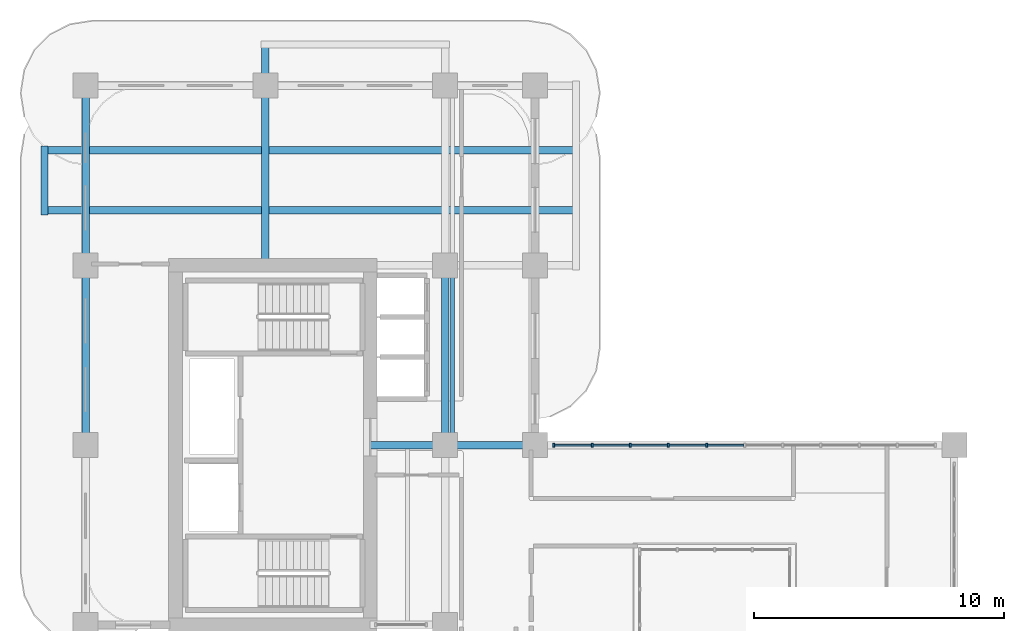
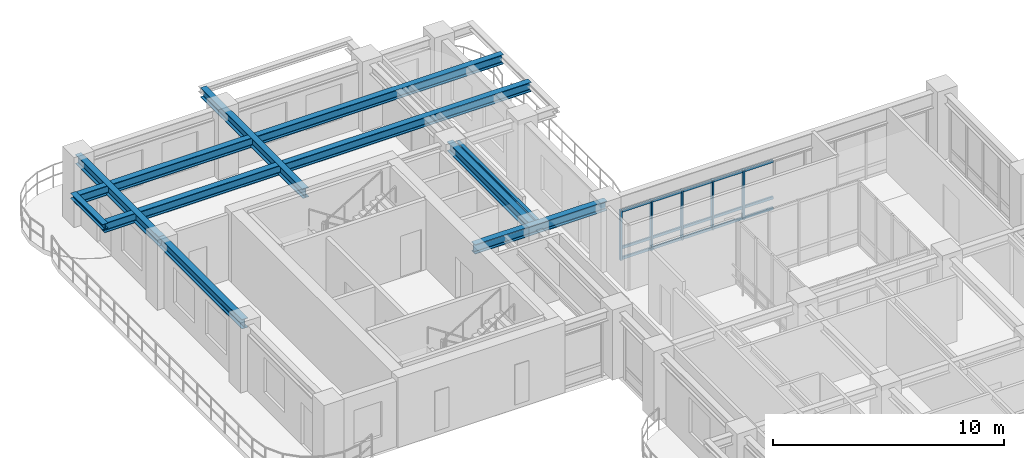
# One storey, part 5 of 20: 20 members, 9 beams, 1 element without a shape of its own.
"""IFC4 building model written with IfcOpenShell, lengths in metres."""

from ifc_helpers import new_model, si_unit, derived_unit, direction, frame, origin, origin_2d, place, context, subcontext, project, spatial, rectangle, i_section, extrude, source, transform, mapped, material, layer, layer_set, material_profile, profile_set, type_object, type_shapes, element, aggregate, save


model = new_model("IFC4")

# Units and contexts
model_context = context("Model", 3, precision=1e-05, world=origin(), true_north=direction((0.0, 1.0)))
body_context = subcontext(model_context, "Body", "Model", "MODEL_VIEW")
ifc_project = project(units=[si_unit("LENGTHUNIT", "METRE"), si_unit("AREAUNIT", "SQUARE_METRE"), si_unit("VOLUMEUNIT", "CUBIC_METRE"), si_unit("PLANEANGLEUNIT", "RADIAN"), si_unit("MASSUNIT", "GRAM", prefix="KILO"), si_unit("THERMODYNAMICTEMPERATUREUNIT", "KELVIN"), si_unit("POWERUNIT", "WATT"), derived_unit("THERMALTRANSMITTANCEUNIT", [(si_unit("POWERUNIT", "WATT"), 1), (si_unit("AREAUNIT", "SQUARE_METRE"), -1), (si_unit("THERMODYNAMICTEMPERATUREUNIT", "KELVIN"), -1)])], contexts=[model_context])

# Site, building, storey
site_placement = place(None, origin())
site = spatial("IfcSite", under=ifc_project, at=site_placement, CompositionType="ELEMENT")
building_placement = place(site_placement, origin())
building = spatial("IfcBuilding", under=site, at=building_placement, Name="Zahravan Archway Hotel and Residences", CompositionType="ELEMENT")
storey_placement = place(building_placement, frame((0.0, 0.0, 130.300048828125)))
storey = spatial("IfcBuildingStorey", under=building, at=storey_placement, Name="L32", CompositionType="ELEMENT", Elevation=130.300048828125)

# Beams
ifc_material_1 = material(Name="Structural Steel S355JR", Category="steel")
ifc_material_profile_1 = material_profile(ifc_material_1, i_section(OverallWidth=0.280029296875, OverallDepth=0.280029296875, WebThickness=0.010498046875, FlangeThickness=0.01806640625, FilletRadius=0.02392578125, at=origin_2d()), Name="HEB 280", Category="steel")
ifc_profile_set_1 = profile_set([ifc_material_profile_1], Name="Structural Steel S355JR")
beam_type_1 = type_object("IfcBeamType", Name="BM-SPN-HEB280", PredefinedType="SPANDREL", material=ifc_profile_set_1)
shared_shape_1 = source(origin(), body_context, "Body", "SweptSolid", [
    extrude(i_section(OverallWidth=0.280029296875, OverallDepth=0.280029296875, WebThickness=0.010498046875, FlangeThickness=0.01806640625, FilletRadius=0.02392578125, at=origin_2d()), origin(), (0.0, 0.0, 1.0), 2.759765625),
])
beam_1_placement = place(storey_placement, frame((-1.64990234375, 41.6201171875, 3.31005859375), z_axis=(0.0, 1.0, 0.0), x_axis=(-1.0, 0.0, 0.0)))
element("IfcBeam", 1, at=beam_1_placement, inside=storey, type_object=beam_type_1, Name="L33 WB Balcony Edge Spandrel", PredefinedType="SPANDREL", context=body_context, shape_type="MappedRepresentation", body=[
    mapped(shared_shape_1, transform((0.0, 0.0, 0.0), scale=1.0)),
])
ifc_material_profile_2 = material_profile(ifc_material_1, i_section(OverallWidth=0.300048828125, OverallDepth=0.5, WebThickness=0.014404296875, FlangeThickness=0.028076171875, FilletRadius=0.027099609375, at=origin_2d()), Name="HEB 500", Category="steel")
ifc_profile_set_2 = profile_set([ifc_material_profile_2], Name="Structural Steel S355JR")
beam_type_2 = type_object("IfcBeamType", Name="BM-PRI-HEB500", PredefinedType="BEAM", material=ifc_profile_set_2)
shared_shape_2 = source(origin(), body_context, "Body", "SweptSolid", [
    extrude(i_section(OverallWidth=0.300048828125, OverallDepth=0.5, WebThickness=0.014404296875, FlangeThickness=0.028076171875, FilletRadius=0.027099609375, at=origin_2d()), origin(), (0.0, 0.0, 1.0), 7.2001953125),
])
type_shapes(beam_type_2, [shared_shape_2])
for number, where, z_axis, x_axis, name in (
    (2, (0.0, 32.39990234375, 3.199951171875), (0.0, 1.0, 0.0), (-1.0, 0.0, 0.0), "L32 Primary Girder NS-25"),
    (3, (14.39990234375, 32.39990234375, 3.199951171875), (0.0, 1.0, 0.0), (-1.0, 0.0, 0.0), "L32 Primary Girder NS-33"),
):
    element("IfcBeam", number, at=place(storey_placement, frame(where, z_axis=z_axis, x_axis=x_axis)), inside=storey, type_object=beam_type_2, Name=name, PredefinedType="BEAM", context=body_context, shape_type="MappedRepresentation", body=[
        mapped(shared_shape_2, transform((0.0, 0.0, 0.0), scale=1.0)),
    ])
shared_shape_3 = source(origin(), body_context, "Body", "SweptSolid", [
    extrude(i_section(OverallWidth=0.300048828125, OverallDepth=0.5, WebThickness=0.014404296875, FlangeThickness=0.028076171875, FilletRadius=0.027099609375, at=origin_2d()), origin(), (0.0, 0.0, 1.0), 7.199951171875),
])
beam_2_placement = place(storey_placement, frame((0.0, 39.60009765625, 3.199951171875), z_axis=(0.0, 1.0, 0.0), x_axis=(-1.0, 0.0, 0.0)))
element("IfcBeam", 4, at=beam_2_placement, inside=storey, type_object=beam_type_2, Name="L32 Primary Girder NS-26", PredefinedType="BEAM", context=body_context, shape_type="MappedRepresentation", body=[
    mapped(shared_shape_3, transform((0.0, 0.0, 0.0), scale=1.0)),
])
shared_shape_4 = source(origin(), body_context, "Body", "SweptSolid", [
    extrude(i_section(OverallWidth=0.300048828125, OverallDepth=0.5, WebThickness=0.014404296875, FlangeThickness=0.028076171875, FilletRadius=0.027099609375, at=origin_2d()), origin(), (0.0, 0.0, 1.0), 6.60009765625),
])
beam_3_placement = place(storey_placement, frame((11.39990234375, 32.39990234375, 3.199951171875), z_axis=(1.0, 0.0, 0.0), x_axis=(0.0, 1.0, 0.0)))
element("IfcBeam", 5, at=beam_3_placement, inside=storey, type_object=beam_type_2, Name="L32 Primary Girder EW-17", PredefinedType="BEAM", context=body_context, shape_type="MappedRepresentation", body=[
    mapped(shared_shape_4, transform((0.0, 0.0, 0.0), scale=1.0)),
])
ifc_material_profile_3 = material_profile(ifc_material_1, i_section(OverallWidth=0.159912109375, OverallDepth=0.330078125, WebThickness=0.007568359375, FlangeThickness=0.011474609375, FilletRadius=0.01806640625, at=origin_2d()), Name="IPE 330", Category="steel")
ifc_profile_set_3 = profile_set([ifc_material_profile_3], Name="Structural Steel S355JR")
beam_type_3 = type_object("IfcBeamType", Name="BM-JST-IPE330", PredefinedType="JOIST", material=ifc_profile_set_3)
shared_shape_5 = source(origin(), body_context, "Body", "SweptSolid", [
    extrude(i_section(OverallWidth=0.159912109375, OverallDepth=0.330078125, WebThickness=0.007568359375, FlangeThickness=0.011474609375, FilletRadius=0.01806640625, at=origin_2d()), origin(), (0.0, 0.0, 1.0), 6.90380859375),
])
beam_4_placement = place(storey_placement, frame((14.699951171875, 32.548095703125, 3.284912109375), z_axis=(0.0, 1.0, 0.0), x_axis=(-1.0, 0.0, 0.0)))
element("IfcBeam", 6, at=beam_4_placement, inside=storey, type_object=beam_type_3, Name="L32 Composite Floor Joist 11", PredefinedType="JOIST", context=body_context, shape_type="MappedRepresentation", body=[
    mapped(shared_shape_5, transform((0.0, 0.0, 0.0), scale=1.0)),
])
shared_shape_6 = source(origin(), body_context, "Body", "SweptSolid", [
    extrude(i_section(OverallWidth=0.300048828125, OverallDepth=0.5, WebThickness=0.014404296875, FlangeThickness=0.028076171875, FilletRadius=0.027099609375, at=origin_2d()), origin(), (0.0, 0.0, 1.0), 21.2998046875),
])
for number, where, z_axis, x_axis, name in (
    (7, (-1.64990234375, 41.800048828125, 3.199951171875), (1.0, 0.0, 0.0), (0.0, 1.0, 0.0), "L32 Primary Girder EW-22"),
    (8, (-1.64990234375, 44.199951171875, 3.199951171875), (1.0, 0.0, 0.0), (0.0, 1.0, 0.0), "L32 Primary Girder EW-23"),
):
    element("IfcBeam", number, at=place(storey_placement, frame(where, z_axis=z_axis, x_axis=x_axis)), inside=storey, type_object=beam_type_2, Name=name, PredefinedType="BEAM", context=body_context, shape_type="MappedRepresentation", body=[
        mapped(shared_shape_6, transform((0.0, 0.0, 0.0), scale=1.0)),
    ])
shared_shape_7 = source(origin(), body_context, "Body", "SweptSolid", [
    extrude(i_section(OverallWidth=0.300048828125, OverallDepth=0.5, WebThickness=0.014404296875, FlangeThickness=0.028076171875, FilletRadius=0.027099609375, at=origin_2d()), origin(), (0.0, 0.0, 1.0), 8.849853515625),
])
beam_5_placement = place(storey_placement, frame((7.199951171875, 39.60009765625, 3.199951171875), z_axis=(0.0, 1.0, 0.0), x_axis=(-1.0, 0.0, 0.0)))
element("IfcBeam", 9, at=beam_5_placement, inside=storey, type_object=beam_type_2, Name="L32 Primary Girder NS-27", PredefinedType="BEAM", context=body_context, shape_type="MappedRepresentation", body=[
    mapped(shared_shape_7, transform((0.0, 0.0, 0.0), scale=1.0)),
])

# Curtain wall, members
ifc_material_2 = material(Name="Bronze-Anodized Unitised Aluminium & Low-E Glass", Category="aluminium")
ifc_layer = layer(ifc_material_2, 0.179931640625, Name="Bronze-Anodized Unitised Aluminium & Low-E Glass", Category="aluminium")
ifc_layer_set = layer_set([ifc_layer], Name="Bronze-Anodized Unitised Aluminium & Low-E Glass")
curtain_wall_type = type_object("IfcCurtainWallType", Name="CW-ATR-GLAZ", PredefinedType="NOTDEFINED", material=ifc_layer_set)
curtain_wall_placement = place(storey_placement, origin())
curtain_wall = element("IfcCurtainWall", 10, at=curtain_wall_placement, inside=storey, type_object=curtain_wall_type, Name="L32 Curtain Wall CW-L32-HNG-N-1", PredefinedType="NOTDEFINED")
ifc_material_3 = material(Name="Bronze-Anodized Extruded Aluminium", Category="aluminium")
ifc_material_profile_4 = material_profile(ifc_material_3, rectangle(XDim=0.080078125, YDim=0.159912109375, at=origin_2d()), Name="MUL 80x160", Category="aluminium")
ifc_profile_set_4 = profile_set([ifc_material_profile_4], Name="Bronze-Anodized Extruded Aluminium")
member_type_1 = type_object("IfcMemberType", Name="CWM-MUL-160", PredefinedType="MULLION", material=ifc_profile_set_4)
shared_shape_8 = source(origin(), body_context, "Body", "SweptSolid", [
    extrude(rectangle(XDim=0.080078125, YDim=0.159912109375, at=origin_2d()), origin(), (0.0, 0.0, 1.0), 2.635009765625),
])
member_1_placement = place(storey_placement, frame((18.760009765625, 32.39990234375, 0.0), z_axis=(0.0, 0.0, 1.0), x_axis=(1.0, 0.0, 0.0)))
member_1 = element("IfcMember", 11, at=member_1_placement, type_object=member_type_1, Name="CW-L32-HNG-N-1 Mullion 0", PredefinedType="MULLION", context=body_context, shape_type="MappedRepresentation", body=[
    mapped(shared_shape_8, transform((0.0, 0.0, 0.0), scale=1.0)),
])
member_2_placement = place(storey_placement, frame((20.2880859375, 32.39990234375, 0.0), z_axis=(0.0, 0.0, 1.0), x_axis=(1.0, 0.0, 0.0)))
member_2 = element("IfcMember", 12, at=member_2_placement, type_object=member_type_1, Name="CW-L32-HNG-N-1 Mullion 1", PredefinedType="MULLION", context=body_context, shape_type="MappedRepresentation", body=[
    mapped(shared_shape_8, transform((0.0, 0.0, 0.0), scale=1.0)),
])
member_3_placement = place(storey_placement, frame((21.81591796875, 32.39990234375, 0.0), z_axis=(0.0, 0.0, 1.0), x_axis=(1.0, 0.0, 0.0)))
member_3 = element("IfcMember", 13, at=member_3_placement, type_object=member_type_1, Name="CW-L32-HNG-N-1 Mullion 2", PredefinedType="MULLION", context=body_context, shape_type="MappedRepresentation", body=[
    mapped(shared_shape_8, transform((0.0, 0.0, 0.0), scale=1.0)),
])
member_4_placement = place(storey_placement, frame((23.343994140625, 32.39990234375, 0.0), z_axis=(0.0, 0.0, 1.0), x_axis=(1.0, 0.0, 0.0)))
member_4 = element("IfcMember", 14, at=member_4_placement, type_object=member_type_1, Name="CW-L32-HNG-N-1 Mullion 3", PredefinedType="MULLION", context=body_context, shape_type="MappedRepresentation", body=[
    mapped(shared_shape_8, transform((0.0, 0.0, 0.0), scale=1.0)),
])
member_5_placement = place(storey_placement, frame((24.8720703125, 32.39990234375, 0.0), z_axis=(0.0, 0.0, 1.0), x_axis=(1.0, 0.0, 0.0)))
member_5 = element("IfcMember", 15, at=member_5_placement, type_object=member_type_1, Name="CW-L32-HNG-N-1 Mullion 4", PredefinedType="MULLION", context=body_context, shape_type="MappedRepresentation", body=[
    mapped(shared_shape_8, transform((0.0, 0.0, 0.0), scale=1.0)),
])
ifc_material_profile_5 = material_profile(ifc_material_3, rectangle(XDim=0.080078125, YDim=0.139892578125, at=origin_2d()), Name="TRN 80x140", Category="aluminium")
ifc_profile_set_5 = profile_set([ifc_material_profile_5], Name="Bronze-Anodized Extruded Aluminium")
member_type_2 = type_object("IfcMemberType", Name="CWM-TRN-140", PredefinedType="USERDEFINED", material=ifc_profile_set_5)
shared_shape_9 = source(origin(), body_context, "Body", "SweptSolid", [
    extrude(rectangle(XDim=0.080078125, YDim=0.139892578125, at=origin_2d()), origin(), (0.0, 0.0, 1.0), 1.447998046875),
])
member_6_placement = place(storey_placement, frame((18.800048828125, 32.39990234375, 0.070068359375), z_axis=(1.0, 0.0, 0.0), x_axis=(0.0, 1.0, 0.0)))
member_6 = element("IfcMember", 16, at=member_6_placement, type_object=member_type_2, Name="CW-L32-HNG-N-1 Transom 0-1", ObjectType="TRANSOM", PredefinedType="USERDEFINED", context=body_context, shape_type="MappedRepresentation", body=[
    mapped(shared_shape_9, transform((0.0, 0.0, 0.0), scale=1.0)),
])
member_7_placement = place(storey_placement, frame((18.800048828125, 32.39990234375, 0.63232421875), z_axis=(1.0, 0.0, 0.0), x_axis=(0.0, 1.0, 0.0)))
member_7 = element("IfcMember", 17, at=member_7_placement, type_object=member_type_2, Name="CW-L32-HNG-N-1 Transom 0-2", ObjectType="TRANSOM", PredefinedType="USERDEFINED", context=body_context, shape_type="MappedRepresentation", body=[
    mapped(shared_shape_9, transform((0.0, 0.0, 0.0), scale=1.0)),
])
member_8_placement = place(storey_placement, frame((18.800048828125, 32.39990234375, 2.56494140625), z_axis=(1.0, 0.0, 0.0), x_axis=(0.0, 1.0, 0.0)))
member_8 = element("IfcMember", 18, at=member_8_placement, type_object=member_type_2, Name="CW-L32-HNG-N-1 Transom 0-3", ObjectType="TRANSOM", PredefinedType="USERDEFINED", context=body_context, shape_type="MappedRepresentation", body=[
    mapped(shared_shape_9, transform((0.0, 0.0, 0.0), scale=1.0)),
])
member_9_placement = place(storey_placement, frame((20.327880859375, 32.39990234375, 0.070068359375), z_axis=(1.0, 0.0, 0.0), x_axis=(0.0, 1.0, 0.0)))
member_9 = element("IfcMember", 19, at=member_9_placement, type_object=member_type_2, Name="CW-L32-HNG-N-1 Transom 1-1", ObjectType="TRANSOM", PredefinedType="USERDEFINED", context=body_context, shape_type="MappedRepresentation", body=[
    mapped(shared_shape_9, transform((0.0, 0.0, 0.0), scale=1.0)),
])
member_10_placement = place(storey_placement, frame((20.327880859375, 32.39990234375, 0.63232421875), z_axis=(1.0, 0.0, 0.0), x_axis=(0.0, 1.0, 0.0)))
member_10 = element("IfcMember", 20, at=member_10_placement, type_object=member_type_2, Name="CW-L32-HNG-N-1 Transom 1-2", ObjectType="TRANSOM", PredefinedType="USERDEFINED", context=body_context, shape_type="MappedRepresentation", body=[
    mapped(shared_shape_9, transform((0.0, 0.0, 0.0), scale=1.0)),
])
member_11_placement = place(storey_placement, frame((20.327880859375, 32.39990234375, 2.56494140625), z_axis=(1.0, 0.0, 0.0), x_axis=(0.0, 1.0, 0.0)))
member_11 = element("IfcMember", 21, at=member_11_placement, type_object=member_type_2, Name="CW-L32-HNG-N-1 Transom 1-3", ObjectType="TRANSOM", PredefinedType="USERDEFINED", context=body_context, shape_type="MappedRepresentation", body=[
    mapped(shared_shape_9, transform((0.0, 0.0, 0.0), scale=1.0)),
])
member_12_placement = place(storey_placement, frame((21.85595703125, 32.39990234375, 0.070068359375), z_axis=(1.0, 0.0, 0.0), x_axis=(0.0, 1.0, 0.0)))
member_12 = element("IfcMember", 22, at=member_12_placement, type_object=member_type_2, Name="CW-L32-HNG-N-1 Transom 2-1", ObjectType="TRANSOM", PredefinedType="USERDEFINED", context=body_context, shape_type="MappedRepresentation", body=[
    mapped(shared_shape_9, transform((0.0, 0.0, 0.0), scale=1.0)),
])
member_13_placement = place(storey_placement, frame((21.85595703125, 32.39990234375, 0.63232421875), z_axis=(1.0, 0.0, 0.0), x_axis=(0.0, 1.0, 0.0)))
member_13 = element("IfcMember", 23, at=member_13_placement, type_object=member_type_2, Name="CW-L32-HNG-N-1 Transom 2-2", ObjectType="TRANSOM", PredefinedType="USERDEFINED", context=body_context, shape_type="MappedRepresentation", body=[
    mapped(shared_shape_9, transform((0.0, 0.0, 0.0), scale=1.0)),
])
member_14_placement = place(storey_placement, frame((21.85595703125, 32.39990234375, 2.56494140625), z_axis=(1.0, 0.0, 0.0), x_axis=(0.0, 1.0, 0.0)))
member_14 = element("IfcMember", 24, at=member_14_placement, type_object=member_type_2, Name="CW-L32-HNG-N-1 Transom 2-3", ObjectType="TRANSOM", PredefinedType="USERDEFINED", context=body_context, shape_type="MappedRepresentation", body=[
    mapped(shared_shape_9, transform((0.0, 0.0, 0.0), scale=1.0)),
])
member_15_placement = place(storey_placement, frame((23.384033203125, 32.39990234375, 0.070068359375), z_axis=(1.0, 0.0, 0.0), x_axis=(0.0, 1.0, 0.0)))
member_15 = element("IfcMember", 25, at=member_15_placement, type_object=member_type_2, Name="CW-L32-HNG-N-1 Transom 3-1", ObjectType="TRANSOM", PredefinedType="USERDEFINED", context=body_context, shape_type="MappedRepresentation", body=[
    mapped(shared_shape_9, transform((0.0, 0.0, 0.0), scale=1.0)),
])
member_16_placement = place(storey_placement, frame((23.384033203125, 32.39990234375, 0.63232421875), z_axis=(1.0, 0.0, 0.0), x_axis=(0.0, 1.0, 0.0)))
member_16 = element("IfcMember", 26, at=member_16_placement, type_object=member_type_2, Name="CW-L32-HNG-N-1 Transom 3-2", ObjectType="TRANSOM", PredefinedType="USERDEFINED", context=body_context, shape_type="MappedRepresentation", body=[
    mapped(shared_shape_9, transform((0.0, 0.0, 0.0), scale=1.0)),
])
member_17_placement = place(storey_placement, frame((23.384033203125, 32.39990234375, 2.56494140625), z_axis=(1.0, 0.0, 0.0), x_axis=(0.0, 1.0, 0.0)))
member_17 = element("IfcMember", 27, at=member_17_placement, type_object=member_type_2, Name="CW-L32-HNG-N-1 Transom 3-3", ObjectType="TRANSOM", PredefinedType="USERDEFINED", context=body_context, shape_type="MappedRepresentation", body=[
    mapped(shared_shape_9, transform((0.0, 0.0, 0.0), scale=1.0)),
])
member_18_placement = place(storey_placement, frame((24.912109375, 32.39990234375, 0.070068359375), z_axis=(1.0, 0.0, 0.0), x_axis=(0.0, 1.0, 0.0)))
member_18 = element("IfcMember", 28, at=member_18_placement, type_object=member_type_2, Name="CW-L32-HNG-N-1 Transom 4-1", ObjectType="TRANSOM", PredefinedType="USERDEFINED", context=body_context, shape_type="MappedRepresentation", body=[
    mapped(shared_shape_9, transform((0.0, 0.0, 0.0), scale=1.0)),
])
member_19_placement = place(storey_placement, frame((24.912109375, 32.39990234375, 0.63232421875), z_axis=(1.0, 0.0, 0.0), x_axis=(0.0, 1.0, 0.0)))
member_19 = element("IfcMember", 29, at=member_19_placement, type_object=member_type_2, Name="CW-L32-HNG-N-1 Transom 4-2", ObjectType="TRANSOM", PredefinedType="USERDEFINED", context=body_context, shape_type="MappedRepresentation", body=[
    mapped(shared_shape_9, transform((0.0, 0.0, 0.0), scale=1.0)),
])
member_20_placement = place(storey_placement, frame((24.912109375, 32.39990234375, 2.56494140625), z_axis=(1.0, 0.0, 0.0), x_axis=(0.0, 1.0, 0.0)))
member_20 = element("IfcMember", 30, at=member_20_placement, type_object=member_type_2, Name="CW-L32-HNG-N-1 Transom 4-3", ObjectType="TRANSOM", PredefinedType="USERDEFINED", context=body_context, shape_type="MappedRepresentation", body=[
    mapped(shared_shape_9, transform((0.0, 0.0, 0.0), scale=1.0)),
])
aggregate(curtain_wall, [member_1, member_2, member_3, member_4, member_5, member_6, member_7, member_8, member_9, member_10, member_11, member_12, member_13, member_14, member_15, member_16, member_17, member_18, member_19, member_20])

save(model, "model.ifc")
